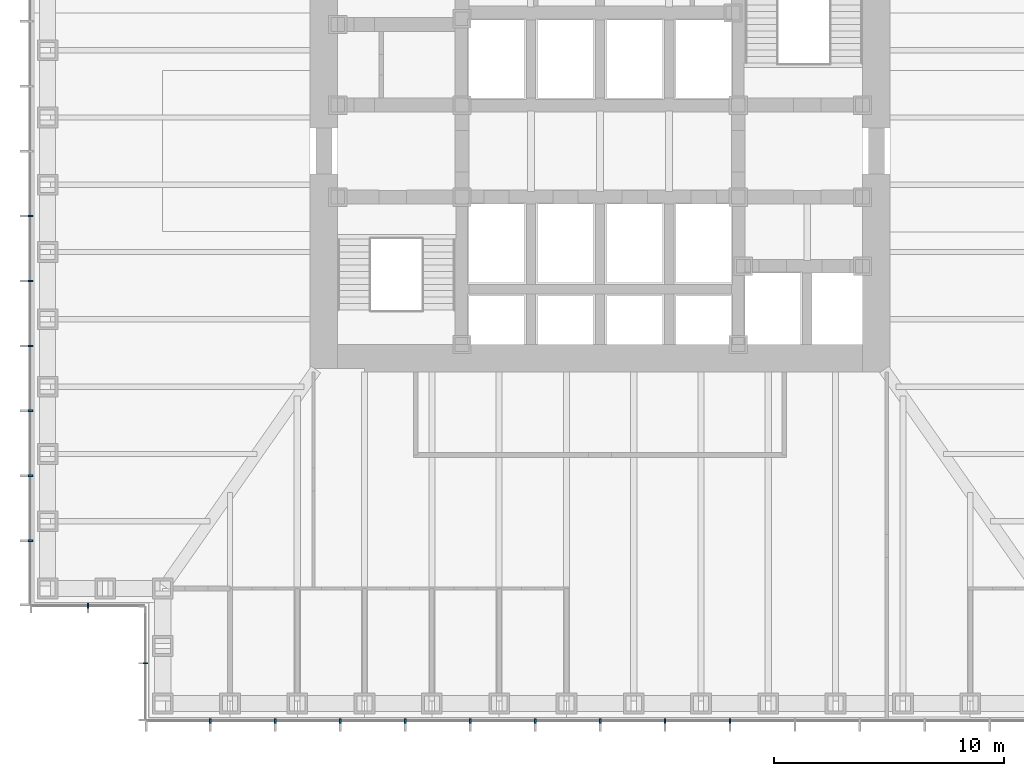
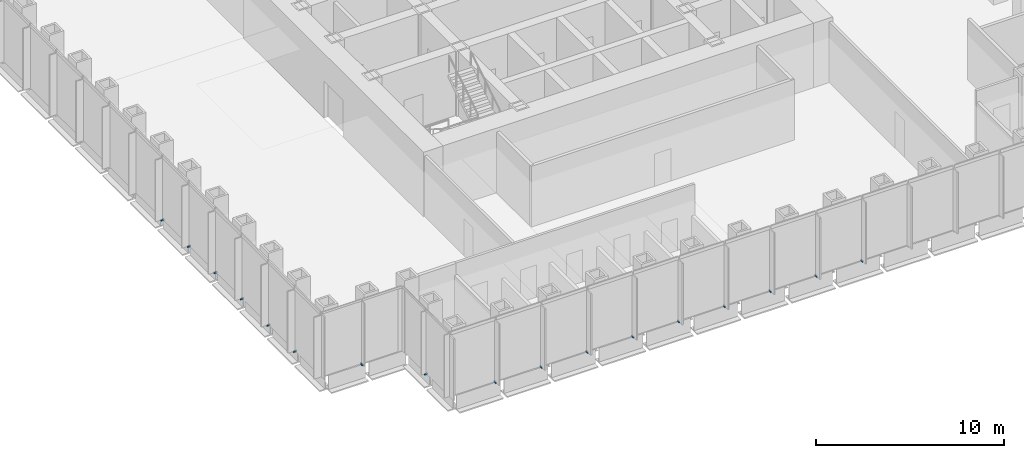
# One storey, part 12 of 17: 17 discrete accessories.
"""IFC4 building model written with IfcOpenShell, lengths in metres."""

from ifc_helpers import new_model, si_unit, direction, frame, origin, origin_2d, place, context, subcontext, project, spatial, rectangle, extrude, element, save


model = new_model("IFC4")

# Units and contexts
model_context = context("Model", 3, precision=1e-05, world=origin(), true_north=direction((0.0, 1.0)))
body_context = subcontext(model_context, "Body", "Model", "MODEL_VIEW")
ifc_project = project(units=[si_unit("LENGTHUNIT", "METRE"), si_unit("AREAUNIT", "SQUARE_METRE"), si_unit("VOLUMEUNIT", "CUBIC_METRE"), si_unit("PLANEANGLEUNIT", "RADIAN"), si_unit("MASSUNIT", "GRAM", prefix="KILO")], contexts=[model_context])

# Site, building, storey
site_placement = place(None, origin())
site = spatial("IfcSite", under=ifc_project, at=site_placement, CompositionType="ELEMENT")
building_placement = place(site_placement, origin())
building = spatial("IfcBuilding", under=site, at=building_placement, Name="Daluyong Arena Tower", CompositionType="ELEMENT")
storey_placement = place(building_placement, frame((0.0, 0.0, 97.89990234375)))
storey = spatial("IfcBuildingStorey", under=building, at=storey_placement, Name="L21", CompositionType="ELEMENT", Elevation=97.89990234375)

# Discrete accessories
for number, where, z_axis, x_axis, name in (
    (1, (39.071533203125, 55.25, -0.099853515625), (0.0, 0.0, 1.0), (1.0, 0.0, 0.0), "curtain wall L21 S anchor bracket 2"),
    (2, (41.892822265625, 55.25, -0.099853515625), (0.0, 0.0, 1.0), (1.0, 0.0, 0.0), "curtain wall L21 S anchor bracket 3"),
    (3, (44.71435546875, 55.25, -0.099853515625), (0.0, 0.0, 1.0), (1.0, 0.0, 0.0), "curtain wall L21 S anchor bracket 4"),
    (4, (47.53564453125, 55.25, -0.099853515625), (0.0, 0.0, 1.0), (1.0, 0.0, 0.0), "curtain wall L21 S anchor bracket 5"),
    (5, (50.357177734375, 55.25, -0.099853515625), (0.0, 0.0, 1.0), (1.0, 0.0, 0.0), "curtain wall L21 S anchor bracket 6"),
    (6, (53.178466796875, 55.25, -0.099853515625), (0.0, 0.0, 1.0), (1.0, 0.0, 0.0), "curtain wall L21 S anchor bracket 7"),
    (7, (56.0, 55.25, -0.099853515625), (0.0, 0.0, 1.0), (1.0, 0.0, 0.0), "curtain wall L21 S anchor bracket 8"),
    (8, (58.821533203125, 55.25, -0.099853515625), (0.0, 0.0, 1.0), (1.0, 0.0, 0.0), "curtain wall L21 S anchor bracket 9"),
    (9, (61.642822265625, 55.25, -0.099853515625), (0.0, 0.0, 1.0), (1.0, 0.0, 0.0), "curtain wall L21 S anchor bracket 10"),
    (10, (31.25, 77.178466796875, -0.099853515625), (0.0, 0.0, 1.0), (0.0, -1.0, 0.0), "curtain wall L21 W anchor bracket 9"),
    (11, (31.25, 74.357177734375, -0.099853515625), (0.0, 0.0, 1.0), (0.0, -1.0, 0.0), "curtain wall L21 W anchor bracket 10"),
    (12, (31.25, 71.53564453125, -0.099853515625), (0.0, 0.0, 1.0), (0.0, -1.0, 0.0), "curtain wall L21 W anchor bracket 11"),
    (13, (31.25, 68.71435546875, -0.099853515625), (0.0, 0.0, 1.0), (0.0, -1.0, 0.0), "curtain wall L21 W anchor bracket 12"),
    (14, (31.25, 65.892822265625, -0.099853515625), (0.0, 0.0, 1.0), (0.0, -1.0, 0.0), "curtain wall L21 W anchor bracket 13"),
    (15, (31.25, 63.071533203125, -0.099853515625), (0.0, 0.0, 1.0), (0.0, -1.0, 0.0), "curtain wall L21 W anchor bracket 14"),
):
    element("IfcDiscreteAccessory", number, at=place(storey_placement, frame(where, z_axis=z_axis, x_axis=x_axis)), inside=storey, Name=name, PredefinedType="BRACKET", context=body_context, shape_type="SweptSolid", body=[
        extrude(rectangle(XDim=0.080078125, YDim=0.199951171875, at=origin_2d()), origin(), (0.0, 0.0, 1.0), 0.10009765625),
    ])
for number, where, z_axis, x_axis, name in (
    (16, (33.75, 60.25, -0.099853515625), (0.0, 0.0, 1.0), (1.0, 0.0, 0.0), "curtain wall L21 SW-S anchor bracket 2"),
    (17, (36.25, 57.75, -0.099853515625), (0.0, 0.0, 1.0), (0.0, -1.0, 0.0), "curtain wall L21 SW-W anchor bracket 2"),
):
    element("IfcDiscreteAccessory", number, at=place(storey_placement, frame(where, z_axis=z_axis, x_axis=x_axis)), inside=storey, Name=name, PredefinedType="BRACKET", context=body_context, shape_type="SweptSolid", body=[
        extrude(rectangle(XDim=0.06005859375, YDim=0.199951171875, at=origin_2d()), origin(), (0.0, 0.0, 1.0), 0.10009765625),
    ])

save(model, "model.ifc")
